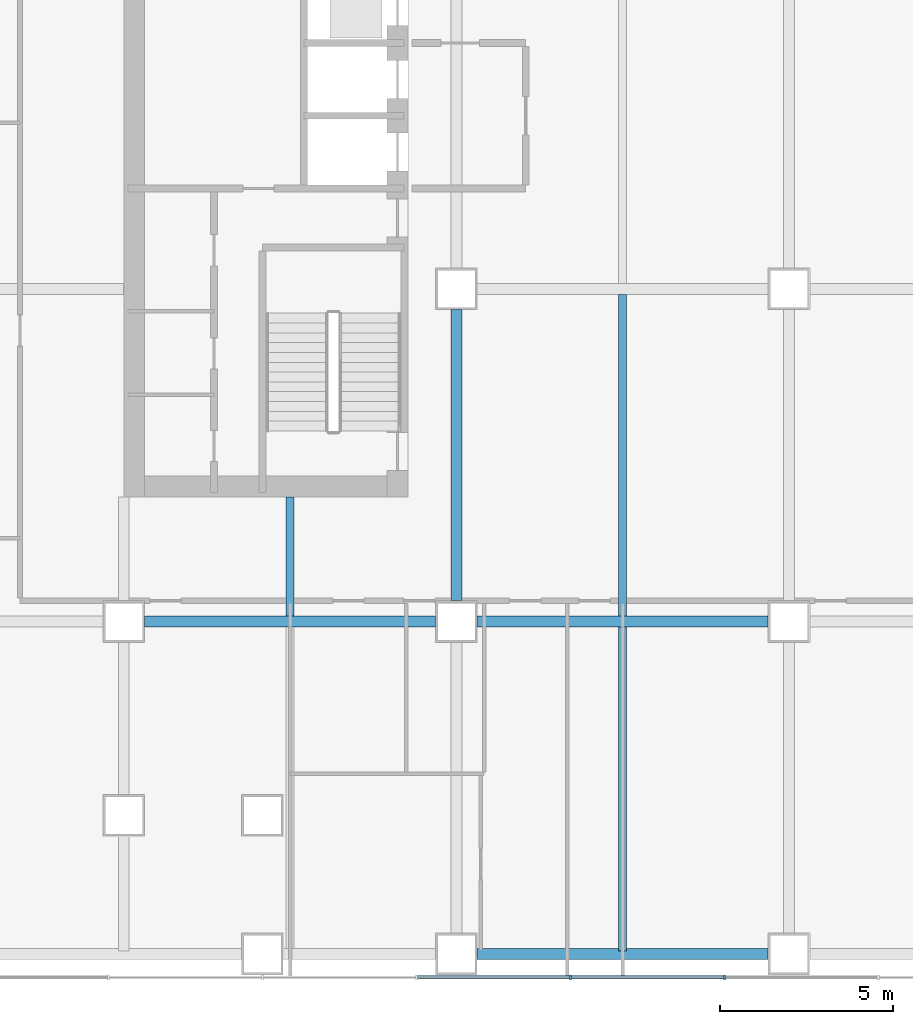
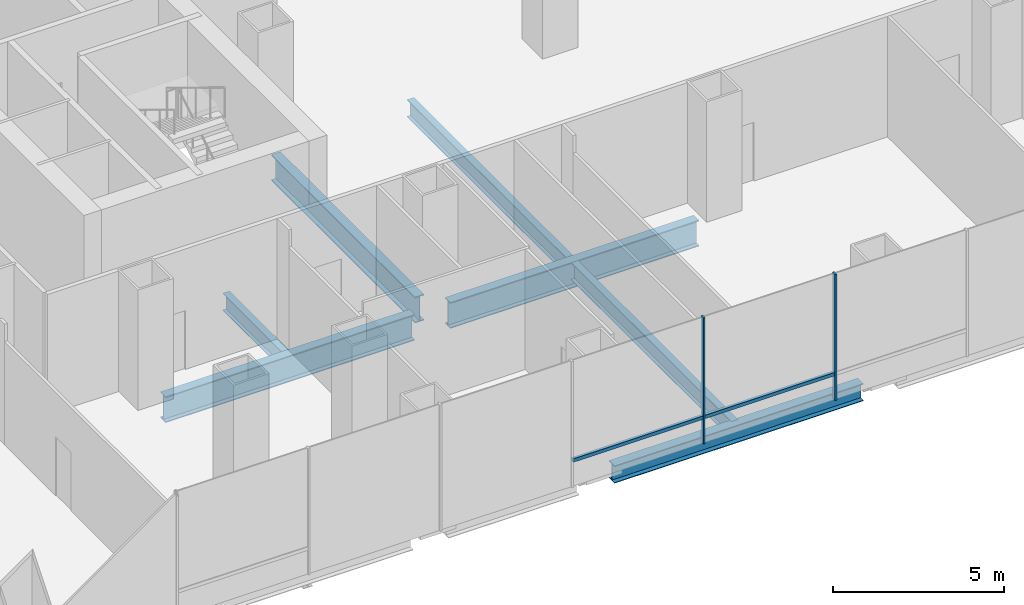
# One storey, part 3 of 23: 7 beams, 4 members, 1 element without a shape of its own.
"""IFC4 building model written with IfcOpenShell, lengths in metres."""

from ifc_helpers import new_model, si_unit, direction, frame, origin, origin_2d, place, context, subcontext, project, spatial, rectangle, i_section, extrude, material, material_profile, profile_set, type_object, element, aggregate, save


model = new_model("IFC4")

# Units and contexts
model_context = context("Model", 3, precision=1e-05, world=origin(), true_north=direction((0.0, 1.0)))
body_context = subcontext(model_context, "Body", "Model", "MODEL_VIEW")
ifc_project = project(units=[si_unit("LENGTHUNIT", "METRE"), si_unit("AREAUNIT", "SQUARE_METRE"), si_unit("VOLUMEUNIT", "CUBIC_METRE"), si_unit("PLANEANGLEUNIT", "RADIAN"), si_unit("MASSUNIT", "GRAM", prefix="KILO")], contexts=[model_context])

# Site, building, storey
site_placement = place(None, origin())
site = spatial("IfcSite", under=ifc_project, at=site_placement, CompositionType="ELEMENT")
building_placement = place(site_placement, origin())
building = spatial("IfcBuilding", under=site, at=building_placement, Name="Cobrizo Arcos Hotel Tower", CompositionType="ELEMENT")
storey_placement = place(building_placement, frame((0.0, 0.0, 20.0)))
storey = spatial("IfcBuildingStorey", under=building, at=storey_placement, Name="L03", CompositionType="ELEMENT", Elevation=20.0)

# Curtain wall, members
ifc_material_1 = material(Name="Aluminium 6063-T6 anodised bronze", Category="aluminium")
curtain_wall_type = type_object("IfcCurtainWallType", Name="CW-A guest facade", PredefinedType="NOTDEFINED", material=ifc_material_1)
curtain_wall_placement = place(storey_placement, origin())
curtain_wall = element("IfcCurtainWall", 1, at=curtain_wall_placement, inside=storey, type_object=curtain_wall_type, Name="CW-A L03 S face", PredefinedType="NOTDEFINED")
ifc_material_profile_1 = material_profile(ifc_material_1, rectangle(XDim=0.14990234375, YDim=0.06005859375, at=origin_2d()), Name="CW-A mullion 150x60")
ifc_profile_set_1 = profile_set([ifc_material_profile_1], Name="Aluminium 6063-T6 anodised bronze")
member_type_1 = type_object("IfcMemberType", Name="CW-A mullion 150x60", PredefinedType="MULLION", material=ifc_profile_set_1)
member_1_placement = place(storey_placement, frame((-11.111083984375, -24.675048828125, 0.0), z_axis=(0.0, 0.0, 1.0), x_axis=(0.0, -1.0, 0.0)))
member_1 = element("IfcMember", 2, at=member_1_placement, type_object=member_type_1, Name="CW-A mullion 7", PredefinedType="MULLION", context=body_context, shape_type="SweptSolid", body=[
    extrude(rectangle(XDim=0.14990234375, YDim=0.06005859375, at=origin_2d()), origin(), (0.0, 0.0, 1.0), 4.5),
])
member_2_placement = place(storey_placement, frame((-6.666748046875, -24.675048828125, 0.0), z_axis=(0.0, 0.0, 1.0), x_axis=(0.0, -1.0, 0.0)))
member_2 = element("IfcMember", 3, at=member_2_placement, type_object=member_type_1, Name="CW-A mullion 8", PredefinedType="MULLION", context=body_context, shape_type="SweptSolid", body=[
    extrude(rectangle(XDim=0.14990234375, YDim=0.06005859375, at=origin_2d()), origin(), (0.0, 0.0, 1.0), 4.5),
])
ifc_material_profile_2 = material_profile(ifc_material_1, rectangle(XDim=0.10009765625, YDim=0.1201171875, at=origin_2d()), Name="CW-A transom 120x100")
ifc_profile_set_2 = profile_set([ifc_material_profile_2], Name="Aluminium 6063-T6 anodised bronze")
member_type_2 = type_object("IfcMemberType", Name="CW-A transom 120x100", PredefinedType="USERDEFINED", material=ifc_profile_set_2)
member_3_placement = place(storey_placement, frame((-15.525634765625, -24.675048828125, 0.929931640625), z_axis=(1.0, 0.0, 0.0), x_axis=(0.0, 1.0, 0.0)))
member_3 = element("IfcMember", 4, at=member_3_placement, type_object=member_type_2, Name="CW-A transom 203", ObjectType="TRANSOM", PredefinedType="USERDEFINED", context=body_context, shape_type="SweptSolid", body=[
    extrude(rectangle(XDim=0.10009765625, YDim=0.1201171875, at=origin_2d()), origin(), (0.0, 0.0, 1.0), 4.384521484375),
])
member_4_placement = place(storey_placement, frame((-11.0810546875, -24.675048828125, 0.929931640625), z_axis=(1.0, 0.0, 0.0), x_axis=(0.0, 1.0, 0.0)))
member_4 = element("IfcMember", 5, at=member_4_placement, type_object=member_type_2, Name="CW-A transom 204", ObjectType="TRANSOM", PredefinedType="USERDEFINED", context=body_context, shape_type="SweptSolid", body=[
    extrude(rectangle(XDim=0.10009765625, YDim=0.1201171875, at=origin_2d()), origin(), (0.0, 0.0, 1.0), 4.38427734375),
])
aggregate(curtain_wall, [member_1, member_2, member_3, member_4])

# Beams
ifc_material_2 = material(Name="Steel ASTM A992 Grade 50", Category="steel")
ifc_material_profile_3 = material_profile(ifc_material_2, i_section(OverallWidth=0.32763671875, OverallDepth=0.622314453125, WebThickness=0.015380859375, FlangeThickness=0.0244140625, at=origin_2d()), Name="W24X131")
ifc_profile_set_3 = profile_set([ifc_material_profile_3], Name="Steel ASTM A992 Grade 50")
beam_type_1 = type_object("IfcBeamType", Name="W24X131 spandrel", PredefinedType="SPANDREL", material=ifc_profile_set_3)
beam_1_placement = place(storey_placement, frame((-13.800048828125, -24.0, -0.51123046875), z_axis=(1.0, 0.0, 0.0), x_axis=(0.0, 1.0, 0.0)))
element("IfcBeam", 6, at=beam_1_placement, inside=storey, type_object=beam_type_1, Name="Spandrel beam W24X131, L03, no. 010", PredefinedType="SPANDREL", context=body_context, shape_type="SweptSolid", body=[
    extrude(i_section(OverallWidth=0.32763671875, OverallDepth=0.622314453125, WebThickness=0.015380859375, FlangeThickness=0.0244140625, at=origin_2d()), origin(), (0.0, 0.0, 1.0), 8.400146484375),
])
ifc_material_profile_4 = material_profile(ifc_material_2, i_section(OverallWidth=0.23046875, OverallDepth=0.6171875, WebThickness=0.01318359375, FlangeThickness=0.022216796875, at=origin_2d()), Name="W24X94")
ifc_profile_set_4 = profile_set([ifc_material_profile_4], Name="Steel ASTM A992 Grade 50")
beam_type_2 = type_object("IfcBeamType", Name="W24X94 podium joist", PredefinedType="JOIST", material=ifc_profile_set_4)
beam_2_placement = place(storey_placement, frame((-19.199951171875, -14.246337890625, -0.508544921875), z_axis=(0.0, 1.0, 0.0), x_axis=(-1.0, 0.0, 0.0)))
element("IfcBeam", 7, at=beam_2_placement, inside=storey, type_object=beam_type_2, Name="Podium joist PJ1, L03, no. 007", PredefinedType="JOIST", context=body_context, shape_type="SweptSolid", body=[
    extrude(i_section(OverallWidth=0.23046875, OverallDepth=0.6171875, WebThickness=0.01318359375, FlangeThickness=0.022216796875, at=origin_2d()), origin(), (0.0, 0.0, 1.0), 3.436279296875),
])
beam_3_placement = place(storey_placement, frame((-9.60009765625, -23.909912109375, -0.508544921875), z_axis=(0.0, 1.0, 0.0), x_axis=(-1.0, 0.0, 0.0)))
element("IfcBeam", 8, at=beam_3_placement, inside=storey, type_object=beam_type_2, Name="Podium joist PJ1, L03, no. 010", PredefinedType="JOIST", context=body_context, shape_type="SweptSolid", body=[
    extrude(i_section(OverallWidth=0.23046875, OverallDepth=0.6171875, WebThickness=0.01318359375, FlangeThickness=0.022216796875, at=origin_2d()), origin(), (0.0, 0.0, 1.0), 9.356201171875),
])
beam_4_placement = place(storey_placement, frame((-9.60009765625, -14.246337890625, -0.508544921875), z_axis=(0.0, 1.0, 0.0), x_axis=(-1.0, 0.0, 0.0)))
element("IfcBeam", 9, at=beam_4_placement, inside=storey, type_object=beam_type_2, Name="Podium joist PJ1, L03, no. 011", PredefinedType="JOIST", context=body_context, shape_type="SweptSolid", body=[
    extrude(i_section(OverallWidth=0.23046875, OverallDepth=0.6171875, WebThickness=0.01318359375, FlangeThickness=0.022216796875, at=origin_2d()), origin(), (0.0, 0.0, 1.0), 9.292724609375),
])
ifc_material_profile_5 = material_profile(ifc_material_2, i_section(OverallWidth=0.307373046875, OverallDepth=0.927001953125, WebThickness=0.01953125, FlangeThickness=0.031982421875, at=origin_2d()), Name="W36X194")
ifc_profile_set_5 = profile_set([ifc_material_profile_5], Name="Steel ASTM A992 Grade 50")
beam_type_3 = type_object("IfcBeamType", Name="W36X194 podium girder", PredefinedType="BEAM", material=ifc_profile_set_5)
beam_5_placement = place(storey_placement, frame((-23.39990234375, -14.39990234375, -0.66357421875), z_axis=(1.0, 0.0, 0.0), x_axis=(0.0, 1.0, 0.0)))
element("IfcBeam", 10, at=beam_5_placement, inside=storey, type_object=beam_type_3, Name="Podium girder PG1, L03, no. 003", PredefinedType="BEAM", context=body_context, shape_type="SweptSolid", body=[
    extrude(i_section(OverallWidth=0.307373046875, OverallDepth=0.927001953125, WebThickness=0.01953125, FlangeThickness=0.031982421875, at=origin_2d()), origin(), (0.0, 0.0, 1.0), 8.39990234375),
])
for number, where, z_axis, x_axis, name in (
    (11, (-13.800048828125, -14.39990234375, -0.66357421875), (1.0, 0.0, 0.0), (0.0, 1.0, 0.0), "Podium girder PG1, L03, no. 004"),
    (12, (-14.39990234375, -13.800048828125, -0.66357421875), (0.0, 1.0, 0.0), (-1.0, 0.0, 0.0), "Podium girder PG1, L03, no. 047"),
):
    element("IfcBeam", number, at=place(storey_placement, frame(where, z_axis=z_axis, x_axis=x_axis)), inside=storey, type_object=beam_type_3, Name=name, PredefinedType="BEAM", context=body_context, shape_type="SweptSolid", body=[
        extrude(i_section(OverallWidth=0.307373046875, OverallDepth=0.927001953125, WebThickness=0.01953125, FlangeThickness=0.031982421875, at=origin_2d()), origin(), (0.0, 0.0, 1.0), 8.400146484375),
    ])

save(model, "model.ifc")
